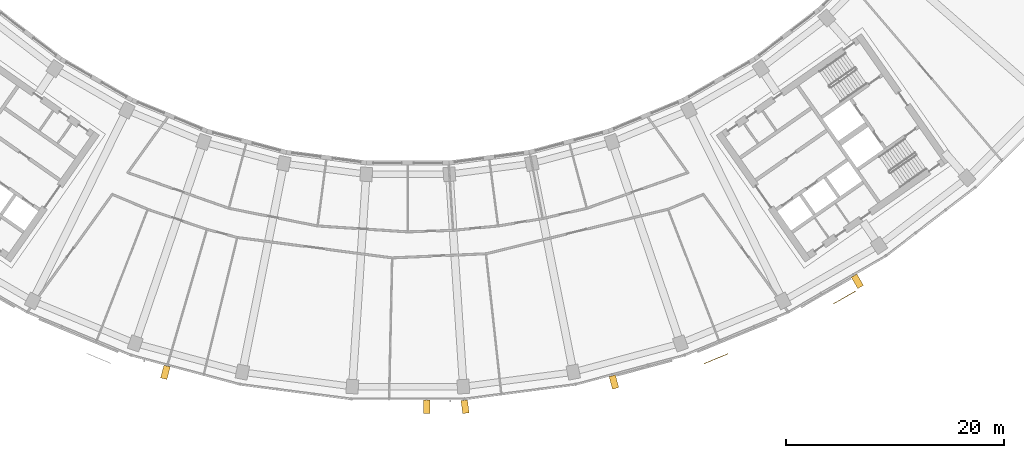
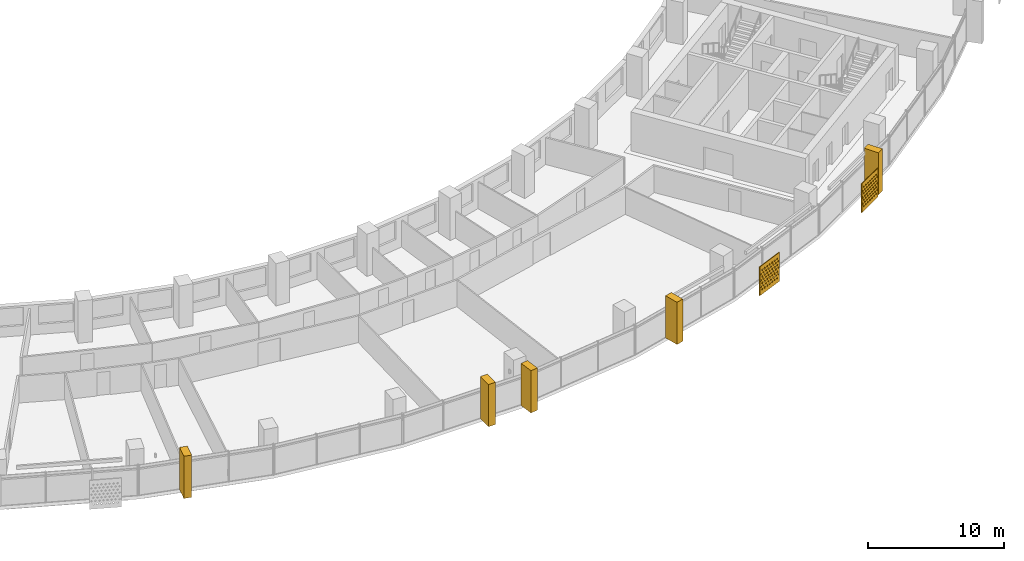
# One storey, part 25 of 26: 7 shading devices.
"""IFC4 building model written with IfcOpenShell, lengths in metres."""

from ifc_helpers import new_model, si_unit, direction, frame, origin, place, context, subcontext, project, spatial, polyline, outline, extrude, material, material_profile, profile_set, type_object, element, save


model = new_model("IFC4")

# Units and contexts
model_context = context("Model", 3, precision=1e-05, world=origin(), true_north=direction((0.0, 1.0)))
body_context = subcontext(model_context, "Body", "Model", "MODEL_VIEW")
ifc_project = project(units=[si_unit("LENGTHUNIT", "METRE"), si_unit("AREAUNIT", "SQUARE_METRE"), si_unit("VOLUMEUNIT", "CUBIC_METRE"), si_unit("PLANEANGLEUNIT", "RADIAN"), si_unit("MASSUNIT", "GRAM", prefix="KILO")], contexts=[model_context])

# Site, building, storey
site_placement = place(None, origin())
site = spatial("IfcSite", under=ifc_project, at=site_placement, CompositionType="ELEMENT")
building_placement = place(site_placement, origin())
building = spatial("IfcBuilding", under=site, at=building_placement, Name="Qamariyya Broadcast Tower", CompositionType="ELEMENT")
storey_placement = place(building_placement, frame((0.0, 0.0, 183.5)))
storey = spatial("IfcBuildingStorey", under=building, at=storey_placement, Name="L43", CompositionType="ELEMENT", Elevation=183.5)

# Shading devices
ifc_material_1 = material(Name="Steel S355 powder coated deep red", Category="steel")
shading_device_type_1 = type_object("IfcShadingDeviceType", Name="Deep red frame, powder coated steel box section", PredefinedType="USERDEFINED", material=ifc_material_1)
shading_device_1_placement = place(storey_placement, origin())
element("IfcShadingDevice", 1, at=shading_device_1_placement, inside=storey, type_object=shading_device_type_1, Name="e-frm-B3-F5-posta-L43", ObjectType="FRAME", PredefinedType="USERDEFINED", context=body_context, shape_type="SweptSolid", body=[
    extrude(outline(polyline([(40.647216796875, -67.558349609375), (41.2470703125, -68.59765625), (41.766845703125, -68.297607421875), (41.166748046875, -67.25830078125), (40.647216796875, -67.558349609375)])), origin(), (0.0, 0.0, 1.0), 3.800048828125),
])
shading_device_2_placement = place(storey_placement, origin())
element("IfcShadingDevice", 2, at=shading_device_2_placement, inside=storey, type_object=shading_device_type_1, Name="e-frm-B3-F2-posta-L43", ObjectType="FRAME", PredefinedType="USERDEFINED", context=body_context, shape_type="SweptSolid", body=[
    extrude(outline(polyline([(-22.356201171875, -75.621337890625), (-22.6669921875, -76.780517578125), (-22.08740234375, -76.935791015625), (-21.77685546875, -75.776611328125), (-22.356201171875, -75.621337890625)])), origin(), (0.0, 0.0, 1.0), 3.800048828125),
])
shading_device_3_placement = place(storey_placement, origin())
element("IfcShadingDevice", 3, at=shading_device_3_placement, inside=storey, type_object=shading_device_type_1, Name="e-frm-B3-F2-postb-L43", ObjectType="FRAME", PredefinedType="USERDEFINED", context=body_context, shape_type="SweptSolid", body=[
    extrude(outline(polyline([(1.42236328125, -78.830810546875), (1.42236328125, -80.03076171875), (2.022216796875, -80.03076171875), (2.022216796875, -78.830810546875), (1.42236328125, -78.830810546875)])), origin(), (0.0, 0.0, 1.0), 3.800048828125),
])
shading_device_4_placement = place(storey_placement, origin())
element("IfcShadingDevice", 4, at=shading_device_4_placement, inside=storey, type_object=shading_device_type_1, Name="e-frm-B3-F3-posta-L43", ObjectType="FRAME", PredefinedType="USERDEFINED", context=body_context, shape_type="SweptSolid", body=[
    extrude(outline(polyline([(4.869384765625, -78.8701171875), (5.026123046875, -80.059814453125), (5.620849609375, -79.9814453125), (5.46435546875, -78.791748046875), (4.869384765625, -78.8701171875)])), origin(), (0.0, 0.0, 1.0), 3.800048828125),
])
shading_device_5_placement = place(storey_placement, origin())
element("IfcShadingDevice", 5, at=shading_device_5_placement, inside=storey, type_object=shading_device_type_1, Name="e-frm-B3-F3-postb-L43", ObjectType="FRAME", PredefinedType="USERDEFINED", context=body_context, shape_type="SweptSolid", body=[
    extrude(outline(polyline([(18.449462890625, -76.668212890625), (18.76025390625, -77.827392578125), (19.339599609375, -77.671875), (19.029052734375, -76.512939453125), (18.449462890625, -76.668212890625)])), origin(), (0.0, 0.0, 1.0), 3.800048828125),
])
ifc_material_2 = material(Name="Perforated glazed terracotta", Category="masonry")
ifc_material_profile = material_profile(ifc_material_2, outline(polyline([(-1.199951171875, -1.300048828125), (1.199951171875, -1.300048828125), (1.199951171875, 1.300048828125), (-1.199951171875, 1.300048828125), (-1.199951171875, -1.300048828125)]), holes=[polyline([(-0.81494140625, -0.86669921875), (-0.89990234375, -0.78173828125), (-0.985107421875, -0.86669921875), (-0.89990234375, -0.95166015625), (-0.81494140625, -0.86669921875)]), polyline([(-0.514892578125, -0.86669921875), (-0.60009765625, -0.78173828125), (-0.68505859375, -0.86669921875), (-0.60009765625, -0.95166015625), (-0.514892578125, -0.86669921875)]), polyline([(-0.215087890625, -0.86669921875), (-0.300048828125, -0.78173828125), (-0.385009765625, -0.86669921875), (-0.300048828125, -0.95166015625), (-0.215087890625, -0.86669921875)]), polyline([(0.0849609375, -0.86669921875), (0.0, -0.78173828125), (-0.0849609375, -0.86669921875), (0.0, -0.95166015625), (0.0849609375, -0.86669921875)]), polyline([(0.385009765625, -0.86669921875), (0.300048828125, -0.78173828125), (0.215087890625, -0.86669921875), (0.300048828125, -0.95166015625), (0.385009765625, -0.86669921875)]), polyline([(0.68505859375, -0.86669921875), (0.60009765625, -0.78173828125), (0.514892578125, -0.86669921875), (0.60009765625, -0.95166015625), (0.68505859375, -0.86669921875)]), polyline([(0.985107421875, -0.86669921875), (0.89990234375, -0.78173828125), (0.81494140625, -0.86669921875), (0.89990234375, -0.95166015625), (0.985107421875, -0.86669921875)]), polyline([(-0.965087890625, -0.577880859375), (-1.050048828125, -0.49267578125), (-1.135009765625, -0.577880859375), (-1.050048828125, -0.662841796875), (-0.965087890625, -0.577880859375)]), polyline([(-0.6650390625, -0.577880859375), (-0.75, -0.49267578125), (-0.8349609375, -0.577880859375), (-0.75, -0.662841796875), (-0.6650390625, -0.577880859375)]), polyline([(-0.364990234375, -0.577880859375), (-0.449951171875, -0.49267578125), (-0.534912109375, -0.577880859375), (-0.449951171875, -0.662841796875), (-0.364990234375, -0.577880859375)]), polyline([(-0.06494140625, -0.577880859375), (-0.14990234375, -0.49267578125), (-0.235107421875, -0.577880859375), (-0.14990234375, -0.662841796875), (-0.06494140625, -0.577880859375)]), polyline([(0.235107421875, -0.577880859375), (0.14990234375, -0.49267578125), (0.06494140625, -0.577880859375), (0.14990234375, -0.662841796875), (0.235107421875, -0.577880859375)]), polyline([(0.534912109375, -0.577880859375), (0.449951171875, -0.49267578125), (0.364990234375, -0.577880859375), (0.449951171875, -0.662841796875), (0.534912109375, -0.577880859375)]), polyline([(0.8349609375, -0.577880859375), (0.75, -0.49267578125), (0.6650390625, -0.577880859375), (0.75, -0.662841796875), (0.8349609375, -0.577880859375)]), polyline([(1.135009765625, -0.577880859375), (1.050048828125, -0.49267578125), (0.965087890625, -0.577880859375), (1.050048828125, -0.662841796875), (1.135009765625, -0.577880859375)]), polyline([(-0.81494140625, -0.288818359375), (-0.89990234375, -0.203857421875), (-0.985107421875, -0.288818359375), (-0.89990234375, -0.373779296875), (-0.81494140625, -0.288818359375)]), polyline([(-0.514892578125, -0.288818359375), (-0.60009765625, -0.203857421875), (-0.68505859375, -0.288818359375), (-0.60009765625, -0.373779296875), (-0.514892578125, -0.288818359375)]), polyline([(-0.215087890625, -0.288818359375), (-0.300048828125, -0.203857421875), (-0.385009765625, -0.288818359375), (-0.300048828125, -0.373779296875), (-0.215087890625, -0.288818359375)]), polyline([(0.0849609375, -0.288818359375), (0.0, -0.203857421875), (-0.0849609375, -0.288818359375), (0.0, -0.373779296875), (0.0849609375, -0.288818359375)]), polyline([(0.385009765625, -0.288818359375), (0.300048828125, -0.203857421875), (0.215087890625, -0.288818359375), (0.300048828125, -0.373779296875), (0.385009765625, -0.288818359375)]), polyline([(0.68505859375, -0.288818359375), (0.60009765625, -0.203857421875), (0.514892578125, -0.288818359375), (0.60009765625, -0.373779296875), (0.68505859375, -0.288818359375)]), polyline([(0.985107421875, -0.288818359375), (0.89990234375, -0.203857421875), (0.81494140625, -0.288818359375), (0.89990234375, -0.373779296875), (0.985107421875, -0.288818359375)]), polyline([(-0.965087890625, 0.0), (-1.050048828125, 0.0849609375), (-1.135009765625, 0.0), (-1.050048828125, -0.0849609375), (-0.965087890625, 0.0)]), polyline([(-0.6650390625, 0.0), (-0.75, 0.0849609375), (-0.8349609375, 0.0), (-0.75, -0.0849609375), (-0.6650390625, 0.0)]), polyline([(-0.364990234375, 0.0), (-0.449951171875, 0.0849609375), (-0.534912109375, 0.0), (-0.449951171875, -0.0849609375), (-0.364990234375, 0.0)]), polyline([(-0.06494140625, 0.0), (-0.14990234375, 0.0849609375), (-0.235107421875, 0.0), (-0.14990234375, -0.0849609375), (-0.06494140625, 0.0)]), polyline([(0.235107421875, 0.0), (0.14990234375, 0.0849609375), (0.06494140625, 0.0), (0.14990234375, -0.0849609375), (0.235107421875, 0.0)]), polyline([(0.534912109375, 0.0), (0.449951171875, 0.0849609375), (0.364990234375, 0.0), (0.449951171875, -0.0849609375), (0.534912109375, 0.0)]), polyline([(0.8349609375, 0.0), (0.75, 0.0849609375), (0.6650390625, 0.0), (0.75, -0.0849609375), (0.8349609375, 0.0)]), polyline([(1.135009765625, 0.0), (1.050048828125, 0.0849609375), (0.965087890625, 0.0), (1.050048828125, -0.0849609375), (1.135009765625, 0.0)]), polyline([(-0.81494140625, 0.288818359375), (-0.89990234375, 0.373779296875), (-0.985107421875, 0.288818359375), (-0.89990234375, 0.203857421875), (-0.81494140625, 0.288818359375)]), polyline([(-0.514892578125, 0.288818359375), (-0.60009765625, 0.373779296875), (-0.68505859375, 0.288818359375), (-0.60009765625, 0.203857421875), (-0.514892578125, 0.288818359375)]), polyline([(-0.215087890625, 0.288818359375), (-0.300048828125, 0.373779296875), (-0.385009765625, 0.288818359375), (-0.300048828125, 0.203857421875), (-0.215087890625, 0.288818359375)]), polyline([(0.0849609375, 0.288818359375), (0.0, 0.373779296875), (-0.0849609375, 0.288818359375), (0.0, 0.203857421875), (0.0849609375, 0.288818359375)]), polyline([(0.385009765625, 0.288818359375), (0.300048828125, 0.373779296875), (0.215087890625, 0.288818359375), (0.300048828125, 0.203857421875), (0.385009765625, 0.288818359375)]), polyline([(0.68505859375, 0.288818359375), (0.60009765625, 0.373779296875), (0.514892578125, 0.288818359375), (0.60009765625, 0.203857421875), (0.68505859375, 0.288818359375)]), polyline([(0.985107421875, 0.288818359375), (0.89990234375, 0.373779296875), (0.81494140625, 0.288818359375), (0.89990234375, 0.203857421875), (0.985107421875, 0.288818359375)]), polyline([(-0.965087890625, 0.577880859375), (-1.050048828125, 0.662841796875), (-1.135009765625, 0.577880859375), (-1.050048828125, 0.49267578125), (-0.965087890625, 0.577880859375)]), polyline([(-0.6650390625, 0.577880859375), (-0.75, 0.662841796875), (-0.8349609375, 0.577880859375), (-0.75, 0.49267578125), (-0.6650390625, 0.577880859375)]), polyline([(-0.364990234375, 0.577880859375), (-0.449951171875, 0.662841796875), (-0.534912109375, 0.577880859375), (-0.449951171875, 0.49267578125), (-0.364990234375, 0.577880859375)]), polyline([(-0.06494140625, 0.577880859375), (-0.14990234375, 0.662841796875), (-0.235107421875, 0.577880859375), (-0.14990234375, 0.49267578125), (-0.06494140625, 0.577880859375)]), polyline([(0.235107421875, 0.577880859375), (0.14990234375, 0.662841796875), (0.06494140625, 0.577880859375), (0.14990234375, 0.49267578125), (0.235107421875, 0.577880859375)]), polyline([(0.534912109375, 0.577880859375), (0.449951171875, 0.662841796875), (0.364990234375, 0.577880859375), (0.449951171875, 0.49267578125), (0.534912109375, 0.577880859375)]), polyline([(0.8349609375, 0.577880859375), (0.75, 0.662841796875), (0.6650390625, 0.577880859375), (0.75, 0.49267578125), (0.8349609375, 0.577880859375)]), polyline([(1.135009765625, 0.577880859375), (1.050048828125, 0.662841796875), (0.965087890625, 0.577880859375), (1.050048828125, 0.49267578125), (1.135009765625, 0.577880859375)]), polyline([(-0.81494140625, 0.86669921875), (-0.89990234375, 0.95166015625), (-0.985107421875, 0.86669921875), (-0.89990234375, 0.78173828125), (-0.81494140625, 0.86669921875)]), polyline([(-0.514892578125, 0.86669921875), (-0.60009765625, 0.95166015625), (-0.68505859375, 0.86669921875), (-0.60009765625, 0.78173828125), (-0.514892578125, 0.86669921875)]), polyline([(-0.215087890625, 0.86669921875), (-0.300048828125, 0.95166015625), (-0.385009765625, 0.86669921875), (-0.300048828125, 0.78173828125), (-0.215087890625, 0.86669921875)]), polyline([(0.0849609375, 0.86669921875), (0.0, 0.95166015625), (-0.0849609375, 0.86669921875), (0.0, 0.78173828125), (0.0849609375, 0.86669921875)]), polyline([(0.385009765625, 0.86669921875), (0.300048828125, 0.95166015625), (0.215087890625, 0.86669921875), (0.300048828125, 0.78173828125), (0.385009765625, 0.86669921875)]), polyline([(0.68505859375, 0.86669921875), (0.60009765625, 0.95166015625), (0.514892578125, 0.86669921875), (0.60009765625, 0.78173828125), (0.68505859375, 0.86669921875)]), polyline([(0.985107421875, 0.86669921875), (0.89990234375, 0.95166015625), (0.81494140625, 0.86669921875), (0.89990234375, 0.78173828125), (0.985107421875, 0.86669921875)])]))
ifc_profile_set = profile_set([ifc_material_profile], Name="Perforated glazed terracotta")
shading_device_type_2 = type_object("IfcShadingDeviceType", Name="Perforated terracotta screen 2400 x 2600", PredefinedType="USERDEFINED", material=ifc_profile_set)
shading_device_6_placement = place(storey_placement, frame((28.22802734375, -75.008056640625, 1.35009765625), z_axis=(0.382591441855, -0.923917630863, 0.0), x_axis=(0.923917630863, 0.382591441855, 0.0)))
element("IfcShadingDevice", 6, at=shading_device_6_placement, inside=storey, type_object=shading_device_type_2, Name="e-scr-L43-10-0", ObjectType="SCREEN", PredefinedType="USERDEFINED", context=body_context, shape_type="SweptSolid", body=[
    extrude(outline(polyline([(-1.199951171875, -1.300048828125), (1.199951171875, -1.300048828125), (1.199951171875, 1.300048828125), (-1.199951171875, 1.300048828125), (-1.199951171875, -1.300048828125)]), holes=[polyline([(-0.81494140625, -0.86669921875), (-0.89990234375, -0.78173828125), (-0.985107421875, -0.86669921875), (-0.89990234375, -0.95166015625), (-0.81494140625, -0.86669921875)]), polyline([(-0.514892578125, -0.86669921875), (-0.60009765625, -0.78173828125), (-0.68505859375, -0.86669921875), (-0.60009765625, -0.95166015625), (-0.514892578125, -0.86669921875)]), polyline([(-0.215087890625, -0.86669921875), (-0.300048828125, -0.78173828125), (-0.385009765625, -0.86669921875), (-0.300048828125, -0.95166015625), (-0.215087890625, -0.86669921875)]), polyline([(0.0849609375, -0.86669921875), (0.0, -0.78173828125), (-0.0849609375, -0.86669921875), (0.0, -0.95166015625), (0.0849609375, -0.86669921875)]), polyline([(0.385009765625, -0.86669921875), (0.300048828125, -0.78173828125), (0.215087890625, -0.86669921875), (0.300048828125, -0.95166015625), (0.385009765625, -0.86669921875)]), polyline([(0.68505859375, -0.86669921875), (0.60009765625, -0.78173828125), (0.514892578125, -0.86669921875), (0.60009765625, -0.95166015625), (0.68505859375, -0.86669921875)]), polyline([(0.985107421875, -0.86669921875), (0.89990234375, -0.78173828125), (0.81494140625, -0.86669921875), (0.89990234375, -0.95166015625), (0.985107421875, -0.86669921875)]), polyline([(-0.965087890625, -0.577880859375), (-1.050048828125, -0.49267578125), (-1.135009765625, -0.577880859375), (-1.050048828125, -0.662841796875), (-0.965087890625, -0.577880859375)]), polyline([(-0.6650390625, -0.577880859375), (-0.75, -0.49267578125), (-0.8349609375, -0.577880859375), (-0.75, -0.662841796875), (-0.6650390625, -0.577880859375)]), polyline([(-0.364990234375, -0.577880859375), (-0.449951171875, -0.49267578125), (-0.534912109375, -0.577880859375), (-0.449951171875, -0.662841796875), (-0.364990234375, -0.577880859375)]), polyline([(-0.06494140625, -0.577880859375), (-0.14990234375, -0.49267578125), (-0.235107421875, -0.577880859375), (-0.14990234375, -0.662841796875), (-0.06494140625, -0.577880859375)]), polyline([(0.235107421875, -0.577880859375), (0.14990234375, -0.49267578125), (0.06494140625, -0.577880859375), (0.14990234375, -0.662841796875), (0.235107421875, -0.577880859375)]), polyline([(0.534912109375, -0.577880859375), (0.449951171875, -0.49267578125), (0.364990234375, -0.577880859375), (0.449951171875, -0.662841796875), (0.534912109375, -0.577880859375)]), polyline([(0.8349609375, -0.577880859375), (0.75, -0.49267578125), (0.6650390625, -0.577880859375), (0.75, -0.662841796875), (0.8349609375, -0.577880859375)]), polyline([(1.135009765625, -0.577880859375), (1.050048828125, -0.49267578125), (0.965087890625, -0.577880859375), (1.050048828125, -0.662841796875), (1.135009765625, -0.577880859375)]), polyline([(-0.81494140625, -0.288818359375), (-0.89990234375, -0.203857421875), (-0.985107421875, -0.288818359375), (-0.89990234375, -0.373779296875), (-0.81494140625, -0.288818359375)]), polyline([(-0.514892578125, -0.288818359375), (-0.60009765625, -0.203857421875), (-0.68505859375, -0.288818359375), (-0.60009765625, -0.373779296875), (-0.514892578125, -0.288818359375)]), polyline([(-0.215087890625, -0.288818359375), (-0.300048828125, -0.203857421875), (-0.385009765625, -0.288818359375), (-0.300048828125, -0.373779296875), (-0.215087890625, -0.288818359375)]), polyline([(0.0849609375, -0.288818359375), (0.0, -0.203857421875), (-0.0849609375, -0.288818359375), (0.0, -0.373779296875), (0.0849609375, -0.288818359375)]), polyline([(0.385009765625, -0.288818359375), (0.300048828125, -0.203857421875), (0.215087890625, -0.288818359375), (0.300048828125, -0.373779296875), (0.385009765625, -0.288818359375)]), polyline([(0.68505859375, -0.288818359375), (0.60009765625, -0.203857421875), (0.514892578125, -0.288818359375), (0.60009765625, -0.373779296875), (0.68505859375, -0.288818359375)]), polyline([(0.985107421875, -0.288818359375), (0.89990234375, -0.203857421875), (0.81494140625, -0.288818359375), (0.89990234375, -0.373779296875), (0.985107421875, -0.288818359375)]), polyline([(-0.965087890625, 0.0), (-1.050048828125, 0.0849609375), (-1.135009765625, 0.0), (-1.050048828125, -0.0849609375), (-0.965087890625, 0.0)]), polyline([(-0.6650390625, 0.0), (-0.75, 0.0849609375), (-0.8349609375, 0.0), (-0.75, -0.0849609375), (-0.6650390625, 0.0)]), polyline([(-0.364990234375, 0.0), (-0.449951171875, 0.0849609375), (-0.534912109375, 0.0), (-0.449951171875, -0.0849609375), (-0.364990234375, 0.0)]), polyline([(-0.06494140625, 0.0), (-0.14990234375, 0.0849609375), (-0.235107421875, 0.0), (-0.14990234375, -0.0849609375), (-0.06494140625, 0.0)]), polyline([(0.235107421875, 0.0), (0.14990234375, 0.0849609375), (0.06494140625, 0.0), (0.14990234375, -0.0849609375), (0.235107421875, 0.0)]), polyline([(0.534912109375, 0.0), (0.449951171875, 0.0849609375), (0.364990234375, 0.0), (0.449951171875, -0.0849609375), (0.534912109375, 0.0)]), polyline([(0.8349609375, 0.0), (0.75, 0.0849609375), (0.6650390625, 0.0), (0.75, -0.0849609375), (0.8349609375, 0.0)]), polyline([(1.135009765625, 0.0), (1.050048828125, 0.0849609375), (0.965087890625, 0.0), (1.050048828125, -0.0849609375), (1.135009765625, 0.0)]), polyline([(-0.81494140625, 0.288818359375), (-0.89990234375, 0.373779296875), (-0.985107421875, 0.288818359375), (-0.89990234375, 0.203857421875), (-0.81494140625, 0.288818359375)]), polyline([(-0.514892578125, 0.288818359375), (-0.60009765625, 0.373779296875), (-0.68505859375, 0.288818359375), (-0.60009765625, 0.203857421875), (-0.514892578125, 0.288818359375)]), polyline([(-0.215087890625, 0.288818359375), (-0.300048828125, 0.373779296875), (-0.385009765625, 0.288818359375), (-0.300048828125, 0.203857421875), (-0.215087890625, 0.288818359375)]), polyline([(0.0849609375, 0.288818359375), (0.0, 0.373779296875), (-0.0849609375, 0.288818359375), (0.0, 0.203857421875), (0.0849609375, 0.288818359375)]), polyline([(0.385009765625, 0.288818359375), (0.300048828125, 0.373779296875), (0.215087890625, 0.288818359375), (0.300048828125, 0.203857421875), (0.385009765625, 0.288818359375)]), polyline([(0.68505859375, 0.288818359375), (0.60009765625, 0.373779296875), (0.514892578125, 0.288818359375), (0.60009765625, 0.203857421875), (0.68505859375, 0.288818359375)]), polyline([(0.985107421875, 0.288818359375), (0.89990234375, 0.373779296875), (0.81494140625, 0.288818359375), (0.89990234375, 0.203857421875), (0.985107421875, 0.288818359375)]), polyline([(-0.965087890625, 0.577880859375), (-1.050048828125, 0.662841796875), (-1.135009765625, 0.577880859375), (-1.050048828125, 0.49267578125), (-0.965087890625, 0.577880859375)]), polyline([(-0.6650390625, 0.577880859375), (-0.75, 0.662841796875), (-0.8349609375, 0.577880859375), (-0.75, 0.49267578125), (-0.6650390625, 0.577880859375)]), polyline([(-0.364990234375, 0.577880859375), (-0.449951171875, 0.662841796875), (-0.534912109375, 0.577880859375), (-0.449951171875, 0.49267578125), (-0.364990234375, 0.577880859375)]), polyline([(-0.06494140625, 0.577880859375), (-0.14990234375, 0.662841796875), (-0.235107421875, 0.577880859375), (-0.14990234375, 0.49267578125), (-0.06494140625, 0.577880859375)]), polyline([(0.235107421875, 0.577880859375), (0.14990234375, 0.662841796875), (0.06494140625, 0.577880859375), (0.14990234375, 0.49267578125), (0.235107421875, 0.577880859375)]), polyline([(0.534912109375, 0.577880859375), (0.449951171875, 0.662841796875), (0.364990234375, 0.577880859375), (0.449951171875, 0.49267578125), (0.534912109375, 0.577880859375)]), polyline([(0.8349609375, 0.577880859375), (0.75, 0.662841796875), (0.6650390625, 0.577880859375), (0.75, 0.49267578125), (0.8349609375, 0.577880859375)]), polyline([(1.135009765625, 0.577880859375), (1.050048828125, 0.662841796875), (0.965087890625, 0.577880859375), (1.050048828125, 0.49267578125), (1.135009765625, 0.577880859375)]), polyline([(-0.81494140625, 0.86669921875), (-0.89990234375, 0.95166015625), (-0.985107421875, 0.86669921875), (-0.89990234375, 0.78173828125), (-0.81494140625, 0.86669921875)]), polyline([(-0.514892578125, 0.86669921875), (-0.60009765625, 0.95166015625), (-0.68505859375, 0.86669921875), (-0.60009765625, 0.78173828125), (-0.514892578125, 0.86669921875)]), polyline([(-0.215087890625, 0.86669921875), (-0.300048828125, 0.95166015625), (-0.385009765625, 0.86669921875), (-0.300048828125, 0.78173828125), (-0.215087890625, 0.86669921875)]), polyline([(0.0849609375, 0.86669921875), (0.0, 0.95166015625), (-0.0849609375, 0.86669921875), (0.0, 0.78173828125), (0.0849609375, 0.86669921875)]), polyline([(0.385009765625, 0.86669921875), (0.300048828125, 0.95166015625), (0.215087890625, 0.86669921875), (0.300048828125, 0.78173828125), (0.385009765625, 0.86669921875)]), polyline([(0.68505859375, 0.86669921875), (0.60009765625, 0.95166015625), (0.514892578125, 0.86669921875), (0.60009765625, 0.78173828125), (0.68505859375, 0.86669921875)]), polyline([(0.985107421875, 0.86669921875), (0.89990234375, 0.95166015625), (0.81494140625, 0.86669921875), (0.89990234375, 0.78173828125), (0.985107421875, 0.86669921875)])]), origin(), (0.0, 0.0, 1.0), 0.06005859375),
])
shading_device_7_placement = place(storey_placement, frame((40.014404296875, -69.39013671875, 1.35009765625), z_axis=(0.497016140981, -0.86774129532, 0.0), x_axis=(0.86774129532, 0.497016140981, 0.0)))
element("IfcShadingDevice", 7, at=shading_device_7_placement, inside=storey, type_object=shading_device_type_2, Name="e-scr-L43-11-1", ObjectType="SCREEN", PredefinedType="USERDEFINED", context=body_context, shape_type="SweptSolid", body=[
    extrude(outline(polyline([(-1.199951171875, -1.300048828125), (1.199951171875, -1.300048828125), (1.199951171875, 1.300048828125), (-1.199951171875, 1.300048828125), (-1.199951171875, -1.300048828125)]), holes=[polyline([(-0.81494140625, -0.86669921875), (-0.89990234375, -0.78173828125), (-0.985107421875, -0.86669921875), (-0.89990234375, -0.95166015625), (-0.81494140625, -0.86669921875)]), polyline([(-0.514892578125, -0.86669921875), (-0.60009765625, -0.78173828125), (-0.68505859375, -0.86669921875), (-0.60009765625, -0.95166015625), (-0.514892578125, -0.86669921875)]), polyline([(-0.215087890625, -0.86669921875), (-0.300048828125, -0.78173828125), (-0.385009765625, -0.86669921875), (-0.300048828125, -0.95166015625), (-0.215087890625, -0.86669921875)]), polyline([(0.0849609375, -0.86669921875), (0.0, -0.78173828125), (-0.0849609375, -0.86669921875), (0.0, -0.95166015625), (0.0849609375, -0.86669921875)]), polyline([(0.385009765625, -0.86669921875), (0.300048828125, -0.78173828125), (0.215087890625, -0.86669921875), (0.300048828125, -0.95166015625), (0.385009765625, -0.86669921875)]), polyline([(0.68505859375, -0.86669921875), (0.60009765625, -0.78173828125), (0.514892578125, -0.86669921875), (0.60009765625, -0.95166015625), (0.68505859375, -0.86669921875)]), polyline([(0.985107421875, -0.86669921875), (0.89990234375, -0.78173828125), (0.81494140625, -0.86669921875), (0.89990234375, -0.95166015625), (0.985107421875, -0.86669921875)]), polyline([(-0.965087890625, -0.577880859375), (-1.050048828125, -0.49267578125), (-1.135009765625, -0.577880859375), (-1.050048828125, -0.662841796875), (-0.965087890625, -0.577880859375)]), polyline([(-0.6650390625, -0.577880859375), (-0.75, -0.49267578125), (-0.8349609375, -0.577880859375), (-0.75, -0.662841796875), (-0.6650390625, -0.577880859375)]), polyline([(-0.364990234375, -0.577880859375), (-0.449951171875, -0.49267578125), (-0.534912109375, -0.577880859375), (-0.449951171875, -0.662841796875), (-0.364990234375, -0.577880859375)]), polyline([(-0.06494140625, -0.577880859375), (-0.14990234375, -0.49267578125), (-0.235107421875, -0.577880859375), (-0.14990234375, -0.662841796875), (-0.06494140625, -0.577880859375)]), polyline([(0.235107421875, -0.577880859375), (0.14990234375, -0.49267578125), (0.06494140625, -0.577880859375), (0.14990234375, -0.662841796875), (0.235107421875, -0.577880859375)]), polyline([(0.534912109375, -0.577880859375), (0.449951171875, -0.49267578125), (0.364990234375, -0.577880859375), (0.449951171875, -0.662841796875), (0.534912109375, -0.577880859375)]), polyline([(0.8349609375, -0.577880859375), (0.75, -0.49267578125), (0.6650390625, -0.577880859375), (0.75, -0.662841796875), (0.8349609375, -0.577880859375)]), polyline([(1.135009765625, -0.577880859375), (1.050048828125, -0.49267578125), (0.965087890625, -0.577880859375), (1.050048828125, -0.662841796875), (1.135009765625, -0.577880859375)]), polyline([(-0.81494140625, -0.288818359375), (-0.89990234375, -0.203857421875), (-0.985107421875, -0.288818359375), (-0.89990234375, -0.373779296875), (-0.81494140625, -0.288818359375)]), polyline([(-0.514892578125, -0.288818359375), (-0.60009765625, -0.203857421875), (-0.68505859375, -0.288818359375), (-0.60009765625, -0.373779296875), (-0.514892578125, -0.288818359375)]), polyline([(-0.215087890625, -0.288818359375), (-0.300048828125, -0.203857421875), (-0.385009765625, -0.288818359375), (-0.300048828125, -0.373779296875), (-0.215087890625, -0.288818359375)]), polyline([(0.0849609375, -0.288818359375), (0.0, -0.203857421875), (-0.0849609375, -0.288818359375), (0.0, -0.373779296875), (0.0849609375, -0.288818359375)]), polyline([(0.385009765625, -0.288818359375), (0.300048828125, -0.203857421875), (0.215087890625, -0.288818359375), (0.300048828125, -0.373779296875), (0.385009765625, -0.288818359375)]), polyline([(0.68505859375, -0.288818359375), (0.60009765625, -0.203857421875), (0.514892578125, -0.288818359375), (0.60009765625, -0.373779296875), (0.68505859375, -0.288818359375)]), polyline([(0.985107421875, -0.288818359375), (0.89990234375, -0.203857421875), (0.81494140625, -0.288818359375), (0.89990234375, -0.373779296875), (0.985107421875, -0.288818359375)]), polyline([(-0.965087890625, 0.0), (-1.050048828125, 0.0849609375), (-1.135009765625, 0.0), (-1.050048828125, -0.0849609375), (-0.965087890625, 0.0)]), polyline([(-0.6650390625, 0.0), (-0.75, 0.0849609375), (-0.8349609375, 0.0), (-0.75, -0.0849609375), (-0.6650390625, 0.0)]), polyline([(-0.364990234375, 0.0), (-0.449951171875, 0.0849609375), (-0.534912109375, 0.0), (-0.449951171875, -0.0849609375), (-0.364990234375, 0.0)]), polyline([(-0.06494140625, 0.0), (-0.14990234375, 0.0849609375), (-0.235107421875, 0.0), (-0.14990234375, -0.0849609375), (-0.06494140625, 0.0)]), polyline([(0.235107421875, 0.0), (0.14990234375, 0.0849609375), (0.06494140625, 0.0), (0.14990234375, -0.0849609375), (0.235107421875, 0.0)]), polyline([(0.534912109375, 0.0), (0.449951171875, 0.0849609375), (0.364990234375, 0.0), (0.449951171875, -0.0849609375), (0.534912109375, 0.0)]), polyline([(0.8349609375, 0.0), (0.75, 0.0849609375), (0.6650390625, 0.0), (0.75, -0.0849609375), (0.8349609375, 0.0)]), polyline([(1.135009765625, 0.0), (1.050048828125, 0.0849609375), (0.965087890625, 0.0), (1.050048828125, -0.0849609375), (1.135009765625, 0.0)]), polyline([(-0.81494140625, 0.288818359375), (-0.89990234375, 0.373779296875), (-0.985107421875, 0.288818359375), (-0.89990234375, 0.203857421875), (-0.81494140625, 0.288818359375)]), polyline([(-0.514892578125, 0.288818359375), (-0.60009765625, 0.373779296875), (-0.68505859375, 0.288818359375), (-0.60009765625, 0.203857421875), (-0.514892578125, 0.288818359375)]), polyline([(-0.215087890625, 0.288818359375), (-0.300048828125, 0.373779296875), (-0.385009765625, 0.288818359375), (-0.300048828125, 0.203857421875), (-0.215087890625, 0.288818359375)]), polyline([(0.0849609375, 0.288818359375), (0.0, 0.373779296875), (-0.0849609375, 0.288818359375), (0.0, 0.203857421875), (0.0849609375, 0.288818359375)]), polyline([(0.385009765625, 0.288818359375), (0.300048828125, 0.373779296875), (0.215087890625, 0.288818359375), (0.300048828125, 0.203857421875), (0.385009765625, 0.288818359375)]), polyline([(0.68505859375, 0.288818359375), (0.60009765625, 0.373779296875), (0.514892578125, 0.288818359375), (0.60009765625, 0.203857421875), (0.68505859375, 0.288818359375)]), polyline([(0.985107421875, 0.288818359375), (0.89990234375, 0.373779296875), (0.81494140625, 0.288818359375), (0.89990234375, 0.203857421875), (0.985107421875, 0.288818359375)]), polyline([(-0.965087890625, 0.577880859375), (-1.050048828125, 0.662841796875), (-1.135009765625, 0.577880859375), (-1.050048828125, 0.49267578125), (-0.965087890625, 0.577880859375)]), polyline([(-0.6650390625, 0.577880859375), (-0.75, 0.662841796875), (-0.8349609375, 0.577880859375), (-0.75, 0.49267578125), (-0.6650390625, 0.577880859375)]), polyline([(-0.364990234375, 0.577880859375), (-0.449951171875, 0.662841796875), (-0.534912109375, 0.577880859375), (-0.449951171875, 0.49267578125), (-0.364990234375, 0.577880859375)]), polyline([(-0.06494140625, 0.577880859375), (-0.14990234375, 0.662841796875), (-0.235107421875, 0.577880859375), (-0.14990234375, 0.49267578125), (-0.06494140625, 0.577880859375)]), polyline([(0.235107421875, 0.577880859375), (0.14990234375, 0.662841796875), (0.06494140625, 0.577880859375), (0.14990234375, 0.49267578125), (0.235107421875, 0.577880859375)]), polyline([(0.534912109375, 0.577880859375), (0.449951171875, 0.662841796875), (0.364990234375, 0.577880859375), (0.449951171875, 0.49267578125), (0.534912109375, 0.577880859375)]), polyline([(0.8349609375, 0.577880859375), (0.75, 0.662841796875), (0.6650390625, 0.577880859375), (0.75, 0.49267578125), (0.8349609375, 0.577880859375)]), polyline([(1.135009765625, 0.577880859375), (1.050048828125, 0.662841796875), (0.965087890625, 0.577880859375), (1.050048828125, 0.49267578125), (1.135009765625, 0.577880859375)]), polyline([(-0.81494140625, 0.86669921875), (-0.89990234375, 0.95166015625), (-0.985107421875, 0.86669921875), (-0.89990234375, 0.78173828125), (-0.81494140625, 0.86669921875)]), polyline([(-0.514892578125, 0.86669921875), (-0.60009765625, 0.95166015625), (-0.68505859375, 0.86669921875), (-0.60009765625, 0.78173828125), (-0.514892578125, 0.86669921875)]), polyline([(-0.215087890625, 0.86669921875), (-0.300048828125, 0.95166015625), (-0.385009765625, 0.86669921875), (-0.300048828125, 0.78173828125), (-0.215087890625, 0.86669921875)]), polyline([(0.0849609375, 0.86669921875), (0.0, 0.95166015625), (-0.0849609375, 0.86669921875), (0.0, 0.78173828125), (0.0849609375, 0.86669921875)]), polyline([(0.385009765625, 0.86669921875), (0.300048828125, 0.95166015625), (0.215087890625, 0.86669921875), (0.300048828125, 0.78173828125), (0.385009765625, 0.86669921875)]), polyline([(0.68505859375, 0.86669921875), (0.60009765625, 0.95166015625), (0.514892578125, 0.86669921875), (0.60009765625, 0.78173828125), (0.68505859375, 0.86669921875)]), polyline([(0.985107421875, 0.86669921875), (0.89990234375, 0.95166015625), (0.81494140625, 0.86669921875), (0.89990234375, 0.78173828125), (0.985107421875, 0.86669921875)])]), origin(), (0.0, 0.0, 1.0), 0.059814453125),
])

save(model, "model.ifc")
